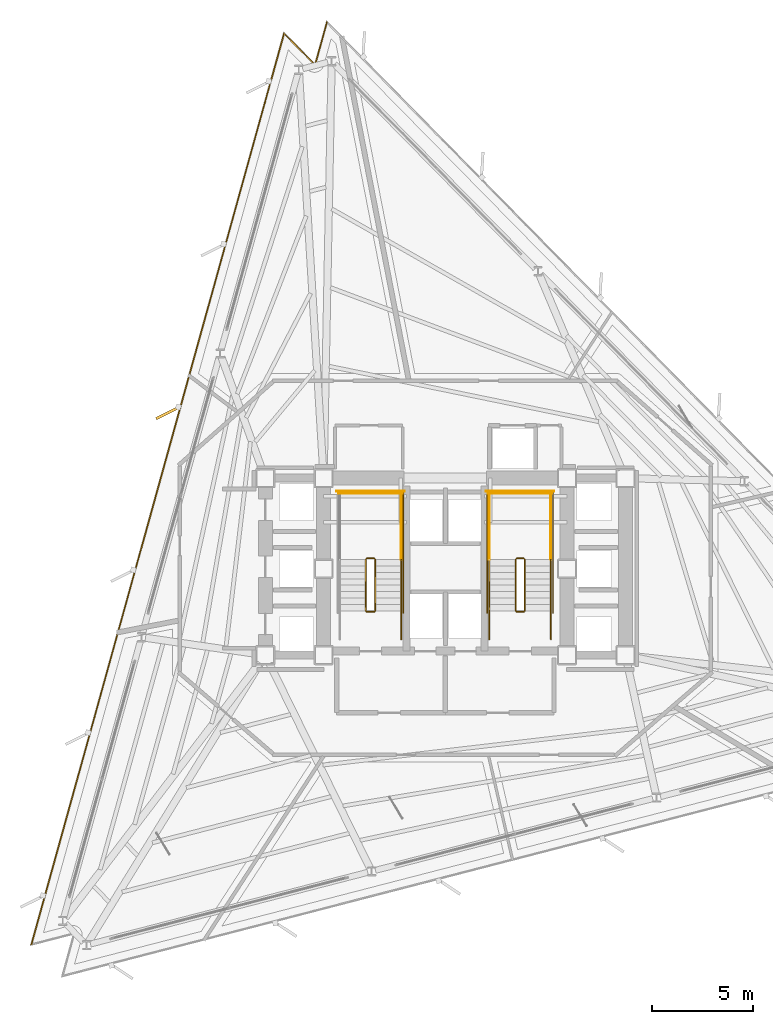
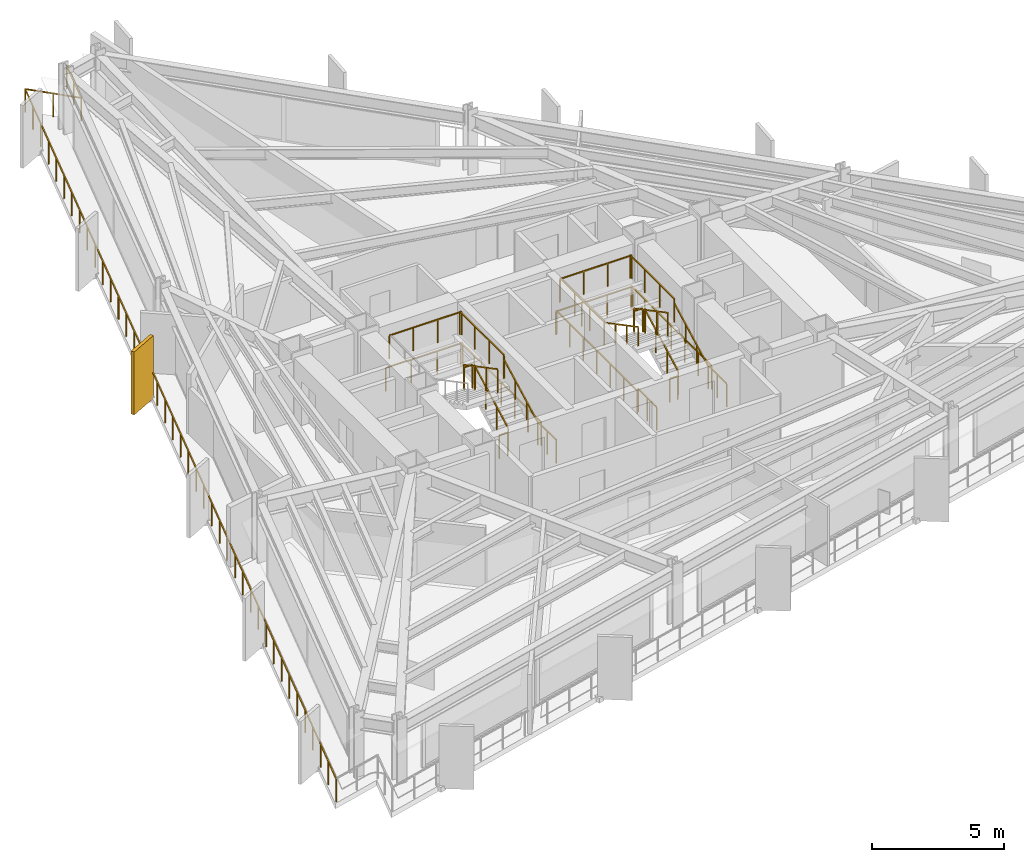
# One storey, part 10 of 11: 25 railings, 1 shading device.
"""IFC4 building model written with IfcOpenShell, lengths in metres."""

import ifcopenshell
import ifcopenshell.guid

model = None  # the IFC model being written
_history = None  # IfcOwnerHistory: only IFC2X3 demands one
_inside = {}  # id of a spatial element -> (the spatial element, [elements in it])
_under = {}  # id of a project, library or spatial element -> (it, [spatial elements below it])
_declared = {}  # id of a project -> (the project, [libraries it declares])
_typed = {}  # id of a type object -> (the type object, [elements of that type])
_made_of = {}  # id of a material, layer set ... -> (it, [elements and type objects made of it])


def new_model(schema):
    """Start an empty IFC model of exactly this schema.

    Asked for "IFC4X3", IfcOpenShell would pick the latest addendum, in which some entities
    have other attributes; the version numbers below select the first issue.
    IFC2X3 requires an IfcOwnerHistory on every rooted entity: one is made here for all.
    """
    global model, _history
    if schema == "IFC4X3":
        model = ifcopenshell.file(schema_version=(4, 3, 0, 0))
    else:
        model = ifcopenshell.file(schema=schema)
    _inside.clear()
    _under.clear()
    _declared.clear()
    _typed.clear()
    _made_of.clear()
    _history = None
    if model.schema == "IFC2X3":
        org = make("IfcOrganization", Name="unknown")
        user = make(
            "IfcPersonAndOrganization",
            ThePerson=make("IfcPerson", FamilyName="unknown"),
            TheOrganization=org,
        )
        app = make(
            "IfcApplication",
            ApplicationDeveloper=org,
            Version="unknown",
            ApplicationFullName="unknown",
            ApplicationIdentifier="unknown",
        )
        _history = make(
            "IfcOwnerHistory",
            OwningUser=user,
            OwningApplication=app,
            ChangeAction="ADDED",
            CreationDate=0,
        )
    return model


def make(cls, **values):
    """One entity of the class cls with the attributes given. An attribute that is None is left unset."""
    return model.create_entity(
        cls, **{name: value for name, value in values.items() if value is not None}
    )


def rooted(cls, **values):
    """An entity with a GlobalId (a new one), such as an element, a storey or a relation."""
    return make(cls, GlobalId=ifcopenshell.guid.new(), OwnerHistory=_history, **values)


def si_unit(unit_type, name, prefix=None):
    """IfcSIUnit, for example si_unit("LENGTHUNIT", "METRE", prefix="MILLI")."""
    return make("IfcSIUnit", UnitType=unit_type, Prefix=prefix, Name=name)


def assignment(units):
    """IfcUnitAssignment: the units of a project."""
    return None if units is None else make("IfcUnitAssignment", Units=units)


def point(xyz):
    """IfcCartesianPoint."""
    return None if xyz is None else make("IfcCartesianPoint", Coordinates=xyz)


def direction(xyz):
    """IfcDirection."""
    return None if xyz is None else make("IfcDirection", DirectionRatios=xyz)


def frame(location, z_axis=None, x_axis=None):
    """IfcAxis2Placement3D, a coordinate frame: its origin and axes. An axis left out is left unset."""
    return make(
        "IfcAxis2Placement3D",
        Location=point(location),
        Axis=direction(z_axis),
        RefDirection=direction(x_axis),
    )


def frame_2d(location, x_axis=None):
    """IfcAxis2Placement2D, a coordinate frame in the plane: its origin and x axis."""
    return make(
        "IfcAxis2Placement2D", Location=point(location), RefDirection=direction(x_axis)
    )


def origin():
    """The frame at (0, 0, 0) with its axes left unset."""
    return frame((0.0, 0.0, 0.0))


def origin_2d():
    """The frame at (0, 0) in the plane with its x axis left unset."""
    return frame_2d((0.0, 0.0))


def place(relative_to, where):
    """IfcLocalPlacement: puts the frame where relative to a parent placement (None: the world)."""
    return make(
        "IfcLocalPlacement", PlacementRelTo=relative_to, RelativePlacement=where
    )


def context(
    kind, dimensions, precision=None, world=None, true_north=None, identifier=None
):
    """IfcGeometricRepresentationContext, for example the 3D "Model" context."""
    return make(
        "IfcGeometricRepresentationContext",
        ContextIdentifier=identifier,
        ContextType=kind,
        CoordinateSpaceDimension=dimensions,
        Precision=precision,
        WorldCoordinateSystem=world,
        TrueNorth=true_north,
    )


def subcontext(parent, identifier, kind, view, scale=None):
    """IfcGeometricRepresentationSubContext, for example "Body" below "Model"."""
    return make(
        "IfcGeometricRepresentationSubContext",
        ContextIdentifier=identifier,
        ContextType=kind,
        ParentContext=parent,
        TargetScale=scale,
        TargetView=view,
    )


def project(units=None, contexts=None):
    """IfcProject with its units and contexts."""
    return rooted(
        "IfcProject",
        Name="project",
        RepresentationContexts=contexts,
        UnitsInContext=assignment(units),
    )


def spatial(cls, under=None, at=None, **own):
    """A site, building, storey or space (cls), placed at a placement, below another one or the project."""
    s = rooted(cls, ObjectPlacement=at, **own)
    if under is not None:
        _under.setdefault(under.id(), (under, []))[1].append(s)
    return s


def profile(cls, at=None, kind="AREA", **sizes):
    """A parametric profile (cls). Its sizes go by their IFC names, for example OverallWidth=200.0."""
    return make(cls, ProfileType=kind, Position=at, **sizes)


def rectangle(**sizes):
    """IfcRectangleProfileDef."""
    return profile("IfcRectangleProfileDef", **sizes)


def extrude(swept, where, along, depth):
    """IfcExtrudedAreaSolid: the profile swept, set in the frame where, extruded along a direction by depth."""
    return make(
        "IfcExtrudedAreaSolid",
        SweptArea=swept,
        Position=where,
        ExtrudedDirection=direction(along),
        Depth=depth,
    )


def shape(context_of_items, identifier, shape_type, items):
    """IfcShapeRepresentation: the items that make up one representation, for example the "Body"."""
    return make(
        "IfcShapeRepresentation",
        ContextOfItems=context_of_items,
        RepresentationIdentifier=identifier,
        RepresentationType=shape_type,
        Items=items,
    )


def material(Name=None, Category=None):
    """IfcMaterial."""
    return make("IfcMaterial", Name=Name, Category=Category)


def layer(
    of_material, thickness, ventilated=None, Name=None, Category=None, Priority=None
):
    """IfcMaterialLayer: one layer of a wall or slab, of a material (None: an air gap)."""
    return make(
        "IfcMaterialLayer",
        Material=of_material,
        LayerThickness=thickness,
        IsVentilated=ventilated,
        Name=Name,
        Category=Category,
        Priority=Priority,
    )


def layer_set(layers, Name=None):
    """IfcMaterialLayerSet."""
    return make("IfcMaterialLayerSet", MaterialLayers=layers, LayerSetName=Name)


def made_of(thing, what):
    """Note that an element or type object is made of a material, layer set ...; save() writes the relation."""
    if what is not None:
        _made_of.setdefault(what.id(), (what, []))[1].append(thing)
    return thing


def type_object(cls, material=None, **own):
    """A type object (cls), such as IfcWallType, which elements share."""
    return made_of(rooted(cls, **own), material)


def element(
    cls,
    number,
    at=None,
    inside=None,
    cuts=None,
    type_object=None,
    material=None,
    context=None,
    identifier="Body",
    shape_type=None,
    held_by="IfcProductDefinitionShape",
    body=None,
    shapes=None,
    **own,
):
    """One element of the class cls, such as IfcWall. Its Tag is "e" and its number.

    at: its placement. inside: the storey or other place that contains it. cuts: it is an
    opening in that element (IfcRelVoidsElement). A single representation is given by context,
    identifier, shape_type and body (its items); several are given by shapes. held_by: the class
    of the entity that holds the representations. save() writes the other relations.
    """
    e = rooted(cls, Tag="e%d" % number, ObjectPlacement=at, **own)
    if body is not None:
        shapes = [shape(context, identifier, shape_type, body)]
    if shapes is not None:
        e.Representation = make(held_by, Representations=shapes)
    if inside is not None:
        _inside.setdefault(inside.id(), (inside, []))[1].append(e)
    if cuts is not None:
        rooted(
            "IfcRelVoidsElement", RelatingBuildingElement=cuts, RelatedOpeningElement=e
        )
    if type_object is not None:
        _typed.setdefault(type_object.id(), (type_object, []))[1].append(e)
    return made_of(e, material)


def aggregate(whole, parts):
    """IfcRelAggregates: a whole, such as a stair, and the parts it consists of."""
    return rooted("IfcRelAggregates", RelatingObject=whole, RelatedObjects=parts)


def save(model, path):
    """Write the relations noted so far, then the file.

    IfcRelAggregates (storeys below a building ...), IfcRelContainedInSpatialStructure (elements
    in a storey), IfcRelDefinesByType, IfcRelAssociatesMaterial and IfcRelDeclares: one each for
    every whole, place, type object, material and project.
    """
    for whole, parts in _under.values():
        aggregate(whole, parts)
    for where, things in _inside.values():
        rooted(
            "IfcRelContainedInSpatialStructure",
            RelatedElements=things,
            RelatingStructure=where,
        )
    for kind, things in _typed.values():
        rooted("IfcRelDefinesByType", RelatedObjects=things, RelatingType=kind)
    for what, things in _made_of.values():
        rooted("IfcRelAssociatesMaterial", RelatedObjects=things, RelatingMaterial=what)
    for by, libraries in _declared.values():
        rooted("IfcRelDeclares", RelatingContext=by, RelatedDefinitions=libraries)
    model.write(path)


model = new_model("IFC4")

# Units and contexts
model_context = context("Model", 3, precision=1e-05, world=origin(), true_north=direction((0.0, 1.0)))
body_context = subcontext(model_context, "Body", "Model", "MODEL_VIEW")
ifc_project = project(units=[si_unit("LENGTHUNIT", "METRE"), si_unit("AREAUNIT", "SQUARE_METRE"), si_unit("VOLUMEUNIT", "CUBIC_METRE"), si_unit("PLANEANGLEUNIT", "RADIAN"), si_unit("MASSUNIT", "GRAM", prefix="KILO")], contexts=[model_context])

# Site, building, storey
site_placement = place(None, origin())
site = spatial("IfcSite", under=ifc_project, at=site_placement, CompositionType="ELEMENT")
building_placement = place(site_placement, origin())
building = spatial("IfcBuilding", under=site, at=building_placement, Name="Rocaltana Carrier Exchange", CompositionType="ELEMENT")
storey_placement = place(building_placement, frame((0.0, 0.0, 82.56005859375)))
storey = spatial("IfcBuildingStorey", under=building, at=storey_placement, Name="L25", CompositionType="ELEMENT", Elevation=82.56005859375)

# Railings
ifc_material_1 = material(Name="Brushed Architectural Stainless Tube", Category="steel")
ifc_layer_1 = layer(ifc_material_1, 0.048095703125)
ifc_layer_set_1 = layer_set([ifc_layer_1], Name="Brushed Architectural Stainless Tube")
railing_type_1 = type_object("IfcRailingType", Name="Stair Wall Handrail 920", PredefinedType="HANDRAIL", material=ifc_layer_set_1)
for number, where, name in (
    (1, (-2.18994140625, -2.10009765625, 0.1689453125), "L25 ST-1 stair handrail 1"),
    (2, (5.25, -2.10009765625, 0.1689453125), "L25 ST-2 stair handrail 1"),
):
    element("IfcRailing", number, at=place(storey_placement, frame(where)), inside=storey, type_object=railing_type_1, Name=name, PredefinedType="HANDRAIL", context=body_context, shape_type="SweptSolid", body=[
        extrude(rectangle(XDim=0.048095703125, YDim=0.048095703125, at=origin_2d()), frame((0.0, 0.0, 0.8759765625), z_axis=(0.0, 0.884394423565, 0.466740295633), x_axis=(-1.0, 0.0, 0.0)), (0.0, 0.0, 1.0), 2.894775390625),
        extrude(rectangle(XDim=0.0419921875, YDim=0.0419921875, at=origin_2d()), origin(), (0.0, 0.0, 1.0), 0.851806640625),
        extrude(rectangle(XDim=0.0419921875, YDim=0.0419921875, at=origin_2d()), frame((0.0, 0.853271484375, 0.450439453125)), (0.0, 0.0, 1.0), 0.851806640625),
        extrude(rectangle(XDim=0.0419921875, YDim=0.0419921875, at=origin_2d()), frame((0.0, 1.706787109375, 0.900634765625)), (0.0, 0.0, 1.0), 0.851806640625),
        extrude(rectangle(XDim=0.0419921875, YDim=0.0419921875, at=origin_2d()), frame((0.0, 2.56005859375, 1.35107421875)), (0.0, 0.0, 1.0), 0.851806640625),
    ])
railing_1_placement = place(storey_placement, frame((2.18994140625, 0.4599609375, 1.688720703125)))
element("IfcRailing", 3, at=railing_1_placement, inside=storey, type_object=railing_type_1, Name="L25 ST-2 stair handrail 2", PredefinedType="HANDRAIL", context=body_context, shape_type="SweptSolid", body=[
    extrude(rectangle(XDim=0.048095703125, YDim=0.048095703125, at=origin_2d()), frame((0.0, 0.0, 0.8759765625), z_axis=(0.0, -0.884359608194, 0.46680625895), x_axis=(1.0, 0.0, 0.0)), (0.0, 0.0, 1.0), 2.894775390625),
    extrude(rectangle(XDim=0.0419921875, YDim=0.0419921875, at=origin_2d()), origin(), (0.0, 0.0, 1.0), 0.851806640625),
    extrude(rectangle(XDim=0.0419921875, YDim=0.0419921875, at=origin_2d()), frame((0.0, -0.853271484375, 0.450439453125)), (0.0, 0.0, 1.0), 0.851806640625),
    extrude(rectangle(XDim=0.0419921875, YDim=0.0419921875, at=origin_2d()), frame((0.0, -1.706787109375, 0.90087890625)), (0.0, 0.0, 1.0), 0.851806640625),
    extrude(rectangle(XDim=0.0419921875, YDim=0.0419921875, at=origin_2d()), frame((0.0, -2.56005859375, 1.351318359375)), (0.0, 0.0, 1.0), 0.851806640625),
])
ifc_material_2 = material(Name="Powder-Coated Aluminium 6063-T6", Category="aluminium")
ifc_layer_2 = layer(ifc_material_2, 0.048095703125)
ifc_layer_set_2 = layer_set([ifc_layer_2], Name="Powder-Coated Aluminium 6063-T6")
railing_type_2 = type_object("IfcRailingType", Name="Stair Well Guardrail 1100", PredefinedType="GUARDRAIL", material=ifc_layer_set_2)
railing_2_placement = place(storey_placement, frame((-3.489990234375, -2.10009765625, 0.1689453125)))
element("IfcRailing", 4, at=railing_2_placement, inside=storey, type_object=railing_type_2, Name="L25 ST-1 stair guard 1", PredefinedType="GUARDRAIL", context=body_context, shape_type="SweptSolid", body=[
    extrude(rectangle(XDim=0.048095703125, YDim=0.048095703125, at=origin_2d()), frame((0.0, 0.0, 1.076171875), z_axis=(0.0, 0.884394423565, 0.466740295633), x_axis=(-1.0, 0.0, 0.0)), (0.0, 0.0, 1.0), 2.894775390625),
    extrude(rectangle(XDim=0.0419921875, YDim=0.0419921875, at=origin_2d()), origin(), (0.0, 0.0, 1.0), 1.052001953125),
    extrude(rectangle(XDim=0.0419921875, YDim=0.0419921875, at=origin_2d()), frame((0.0, 0.853271484375, 0.450439453125)), (0.0, 0.0, 1.0), 1.052001953125),
    extrude(rectangle(XDim=0.0419921875, YDim=0.0419921875, at=origin_2d()), frame((0.0, 1.706787109375, 0.900634765625)), (0.0, 0.0, 1.0), 1.052001953125),
    extrude(rectangle(XDim=0.0419921875, YDim=0.0419921875, at=origin_2d()), frame((0.0, 2.56005859375, 1.35107421875)), (0.0, 0.0, 1.0), 1.052001953125),
])
railing_3_placement = place(storey_placement, frame((-3.5400390625, 0.510009765625, 1.52001953125)))
element("IfcRailing", 5, at=railing_3_placement, inside=storey, type_object=railing_type_2, Name="L25 ST-1 stair guard 2", PredefinedType="GUARDRAIL", context=body_context, shape_type="SweptSolid", body=[
    extrude(rectangle(XDim=0.048095703125, YDim=0.048095703125, at=origin_2d()), frame((0.0, 0.0, 1.076171875), z_axis=(-1.0, 0.0, 0.0), x_axis=(0.0, -1.0, 0.0)), (0.0, 0.0, 1.0), 0.35986328125),
    extrude(rectangle(XDim=0.0419921875, YDim=0.0419921875, at=origin_2d()), origin(), (0.0, 0.0, 1.0), 1.052001953125),
    extrude(rectangle(XDim=0.0419921875, YDim=0.0419921875, at=origin_2d()), frame((-0.35986328125, 0.0, 0.0)), (0.0, 0.0, 1.0), 1.052001953125),
])
railing_4_placement = place(storey_placement, frame((-2.18994140625, 0.4599609375, 1.52001953125)))
element("IfcRailing", 6, at=railing_4_placement, inside=storey, type_object=railing_type_2, Name="L25 ST-1 stair guard 3", PredefinedType="GUARDRAIL", context=body_context, shape_type="SweptSolid", body=[
    extrude(rectangle(XDim=0.048095703125, YDim=0.048095703125, at=origin_2d()), frame((0.0, 0.0, 1.076171875), z_axis=(0.0, 1.0, 0.0), x_axis=(-1.0, 0.0, 0.0)), (0.0, 0.0, 1.0), 3.340087890625),
    extrude(rectangle(XDim=0.0419921875, YDim=0.0419921875, at=origin_2d()), origin(), (0.0, 0.0, 1.0), 1.052001953125),
    extrude(rectangle(XDim=0.0419921875, YDim=0.0419921875, at=origin_2d()), frame((0.0, 1.11328125, 0.0)), (0.0, 0.0, 1.0), 1.052001953125),
    extrude(rectangle(XDim=0.0419921875, YDim=0.0419921875, at=origin_2d()), frame((0.0, 2.226806640625, 0.0)), (0.0, 0.0, 1.0), 1.052001953125),
    extrude(rectangle(XDim=0.0419921875, YDim=0.0419921875, at=origin_2d()), frame((0.0, 3.340087890625, 0.0)), (0.0, 0.0, 1.0), 1.052001953125),
])
railing_5_placement = place(storey_placement, frame((-2.139892578125, 3.75, 1.52001953125)))
element("IfcRailing", 7, at=railing_5_placement, inside=storey, type_object=railing_type_2, Name="L25 ST-1 stair guard 5", PredefinedType="GUARDRAIL", context=body_context, shape_type="SweptSolid", body=[
    extrude(rectangle(XDim=0.048095703125, YDim=0.048095703125, at=origin_2d()), frame((0.0, 0.0, 1.076171875), z_axis=(-1.0, 0.0, 0.0), x_axis=(0.0, -1.0, 0.0)), (0.0, 0.0, 1.0), 3.16015625),
    extrude(rectangle(XDim=0.0419921875, YDim=0.0419921875, at=origin_2d()), origin(), (0.0, 0.0, 1.0), 1.052001953125),
    extrude(rectangle(XDim=0.0419921875, YDim=0.0419921875, at=origin_2d()), frame((-1.053466796875, 0.0, 0.0)), (0.0, 0.0, 1.0), 1.052001953125),
    extrude(rectangle(XDim=0.0419921875, YDim=0.0419921875, at=origin_2d()), frame((-2.106689453125, 0.0, 0.0)), (0.0, 0.0, 1.0), 1.052001953125),
    extrude(rectangle(XDim=0.0419921875, YDim=0.0419921875, at=origin_2d()), frame((-3.16015625, 0.0, 0.0)), (0.0, 0.0, 1.0), 1.052001953125),
])
railing_6_placement = place(storey_placement, frame((-3.949951171875, 0.4599609375, 1.688720703125)))
element("IfcRailing", 8, at=railing_6_placement, inside=storey, type_object=railing_type_2, Name="L25 ST-1 stair guard 6", PredefinedType="GUARDRAIL", context=body_context, shape_type="SweptSolid", body=[
    extrude(rectangle(XDim=0.048095703125, YDim=0.048095703125, at=origin_2d()), frame((0.0, 0.0, 1.076171875), z_axis=(0.0, -0.884359608194, 0.46680625895), x_axis=(1.0, 0.0, 0.0)), (0.0, 0.0, 1.0), 2.894775390625),
    extrude(rectangle(XDim=0.0419921875, YDim=0.0419921875, at=origin_2d()), origin(), (0.0, 0.0, 1.0), 1.052001953125),
    extrude(rectangle(XDim=0.0419921875, YDim=0.0419921875, at=origin_2d()), frame((0.0, -0.853271484375, 0.450439453125)), (0.0, 0.0, 1.0), 1.052001953125),
    extrude(rectangle(XDim=0.0419921875, YDim=0.0419921875, at=origin_2d()), frame((0.0, -1.706787109375, 0.90087890625)), (0.0, 0.0, 1.0), 1.052001953125),
    extrude(rectangle(XDim=0.0419921875, YDim=0.0419921875, at=origin_2d()), frame((0.0, -2.56005859375, 1.351318359375)), (0.0, 0.0, 1.0), 1.052001953125),
])
railing_7_placement = place(storey_placement, frame((-3.5400390625, -2.14990234375, 0.0)))
element("IfcRailing", 9, at=railing_7_placement, inside=storey, type_object=railing_type_2, Name="L25 ST-1 stair guard 7", PredefinedType="GUARDRAIL", context=body_context, shape_type="SweptSolid", body=[
    extrude(rectangle(XDim=0.048095703125, YDim=0.048095703125, at=origin_2d()), frame((0.0, 0.0, 1.076171875), z_axis=(-1.0, 0.0, 0.0), x_axis=(0.0, -1.0, 0.0)), (0.0, 0.0, 1.0), 0.35986328125),
    extrude(rectangle(XDim=0.0419921875, YDim=0.0419921875, at=origin_2d()), origin(), (0.0, 0.0, 1.0), 1.052001953125),
    extrude(rectangle(XDim=0.0419921875, YDim=0.0419921875, at=origin_2d()), frame((-0.35986328125, 0.0, 0.0)), (0.0, 0.0, 1.0), 1.052001953125),
])
railing_8_placement = place(storey_placement, frame((-2.18994140625, -3.5, 0.0)))
element("IfcRailing", 10, at=railing_8_placement, inside=storey, type_object=railing_type_2, Name="L25 ST-1 stair guard 8", PredefinedType="GUARDRAIL", context=body_context, shape_type="SweptSolid", body=[
    extrude(rectangle(XDim=0.048095703125, YDim=0.048095703125, at=origin_2d()), frame((0.0, 0.0, 1.076171875), z_axis=(0.0, 1.0, 0.0), x_axis=(-1.0, 0.0, 0.0)), (0.0, 0.0, 1.0), 1.39990234375),
    extrude(rectangle(XDim=0.0419921875, YDim=0.0419921875, at=origin_2d()), origin(), (0.0, 0.0, 1.0), 1.052001953125),
    extrude(rectangle(XDim=0.0419921875, YDim=0.0419921875, at=origin_2d()), frame((0.0, 0.699951171875, 0.0)), (0.0, 0.0, 1.0), 1.052001953125),
    extrude(rectangle(XDim=0.0419921875, YDim=0.0419921875, at=origin_2d()), frame((0.0, 1.39990234375, 0.0)), (0.0, 0.0, 1.0), 1.052001953125),
])
railing_9_placement = place(storey_placement, frame((-2.090087890625, -2.199951171875, 0.0)))
element("IfcRailing", 11, at=railing_9_placement, inside=storey, type_object=railing_type_2, Name="L25 ST-1 stair guard 10", PredefinedType="GUARDRAIL", context=body_context, shape_type="SweptSolid", body=[
    extrude(rectangle(XDim=0.048095703125, YDim=0.048095703125, at=origin_2d()), frame((0.0, 0.0, 1.076171875), z_axis=(0.0, 1.0, 0.0), x_axis=(-1.0, 0.0, 0.0)), (0.0, 0.0, 1.0), 6.099853515625),
    extrude(rectangle(XDim=0.0419921875, YDim=0.0419921875, at=origin_2d()), origin(), (0.0, 0.0, 1.0), 1.052001953125),
    extrude(rectangle(XDim=0.0419921875, YDim=0.0419921875, at=origin_2d()), frame((0.0, 1.0166015625, 0.0)), (0.0, 0.0, 1.0), 1.052001953125),
    extrude(rectangle(XDim=0.0419921875, YDim=0.0419921875, at=origin_2d()), frame((0.0, 2.033203125, 0.0)), (0.0, 0.0, 1.0), 1.052001953125),
    extrude(rectangle(XDim=0.0419921875, YDim=0.0419921875, at=origin_2d()), frame((0.0, 3.0498046875, 0.0)), (0.0, 0.0, 1.0), 1.052001953125),
    extrude(rectangle(XDim=0.0419921875, YDim=0.0419921875, at=origin_2d()), frame((0.0, 4.066650390625, 0.0)), (0.0, 0.0, 1.0), 1.052001953125),
    extrude(rectangle(XDim=0.0419921875, YDim=0.0419921875, at=origin_2d()), frame((0.0, 5.083251953125, 0.0)), (0.0, 0.0, 1.0), 1.052001953125),
    extrude(rectangle(XDim=0.0419921875, YDim=0.0419921875, at=origin_2d()), frame((0.0, 6.099853515625, 0.0)), (0.0, 0.0, 1.0), 1.052001953125),
])
railing_10_placement = place(storey_placement, frame((-2.0400390625, 3.85009765625, 0.0)))
element("IfcRailing", 12, at=railing_10_placement, inside=storey, type_object=railing_type_2, Name="L25 ST-1 stair guard 12", PredefinedType="GUARDRAIL", context=body_context, shape_type="SweptSolid", body=[
    extrude(rectangle(XDim=0.048095703125, YDim=0.048095703125, at=origin_2d()), frame((0.0, 0.0, 1.076171875), z_axis=(-1.0, 0.0, 0.0), x_axis=(0.0, -1.0, 0.0)), (0.0, 0.0, 1.0), 3.35986328125),
    extrude(rectangle(XDim=0.0419921875, YDim=0.0419921875, at=origin_2d()), origin(), (0.0, 0.0, 1.0), 1.052001953125),
    extrude(rectangle(XDim=0.0419921875, YDim=0.0419921875, at=origin_2d()), frame((-1.119873046875, 0.0, 0.0)), (0.0, 0.0, 1.0), 1.052001953125),
    extrude(rectangle(XDim=0.0419921875, YDim=0.0419921875, at=origin_2d()), frame((-2.239990234375, 0.0, 0.0)), (0.0, 0.0, 1.0), 1.052001953125),
    extrude(rectangle(XDim=0.0419921875, YDim=0.0419921875, at=origin_2d()), frame((-3.35986328125, 0.0, 0.0)), (0.0, 0.0, 1.0), 1.052001953125),
])
railing_11_placement = place(storey_placement, frame((3.949951171875, -2.10009765625, 0.1689453125)))
element("IfcRailing", 13, at=railing_11_placement, inside=storey, type_object=railing_type_2, Name="L25 ST-2 stair guard 1", PredefinedType="GUARDRAIL", context=body_context, shape_type="SweptSolid", body=[
    extrude(rectangle(XDim=0.048095703125, YDim=0.048095703125, at=origin_2d()), frame((0.0, 0.0, 1.076171875), z_axis=(0.0, 0.884394423565, 0.466740295633), x_axis=(-1.0, 0.0, 0.0)), (0.0, 0.0, 1.0), 2.894775390625),
    extrude(rectangle(XDim=0.0419921875, YDim=0.0419921875, at=origin_2d()), origin(), (0.0, 0.0, 1.0), 1.052001953125),
    extrude(rectangle(XDim=0.0419921875, YDim=0.0419921875, at=origin_2d()), frame((0.0, 0.853271484375, 0.450439453125)), (0.0, 0.0, 1.0), 1.052001953125),
    extrude(rectangle(XDim=0.0419921875, YDim=0.0419921875, at=origin_2d()), frame((0.0, 1.706787109375, 0.900634765625)), (0.0, 0.0, 1.0), 1.052001953125),
    extrude(rectangle(XDim=0.0419921875, YDim=0.0419921875, at=origin_2d()), frame((0.0, 2.56005859375, 1.35107421875)), (0.0, 0.0, 1.0), 1.052001953125),
])
railing_12_placement = place(storey_placement, frame((3.89990234375, 0.510009765625, 1.52001953125)))
element("IfcRailing", 14, at=railing_12_placement, inside=storey, type_object=railing_type_2, Name="L25 ST-2 stair guard 2", PredefinedType="GUARDRAIL", context=body_context, shape_type="SweptSolid", body=[
    extrude(rectangle(XDim=0.048095703125, YDim=0.048095703125, at=origin_2d()), frame((0.0, 0.0, 1.076171875), z_axis=(-1.0, 0.0, 0.0), x_axis=(0.0, -1.0, 0.0)), (0.0, 0.0, 1.0), 0.35986328125),
    extrude(rectangle(XDim=0.0419921875, YDim=0.0419921875, at=origin_2d()), origin(), (0.0, 0.0, 1.0), 1.052001953125),
    extrude(rectangle(XDim=0.0419921875, YDim=0.0419921875, at=origin_2d()), frame((-0.35986328125, 0.0, 0.0)), (0.0, 0.0, 1.0), 1.052001953125),
])
for number, where, name in (
    (15, (5.25, 0.4599609375, 1.52001953125), "L25 ST-2 stair guard 3"),
    (16, (2.18994140625, 0.4599609375, 1.52001953125), "L25 ST-2 stair guard 4"),
):
    element("IfcRailing", number, at=place(storey_placement, frame(where)), inside=storey, type_object=railing_type_2, Name=name, PredefinedType="GUARDRAIL", context=body_context, shape_type="SweptSolid", body=[
        extrude(rectangle(XDim=0.048095703125, YDim=0.048095703125, at=origin_2d()), frame((0.0, 0.0, 1.076171875), z_axis=(0.0, 1.0, 0.0), x_axis=(-1.0, 0.0, 0.0)), (0.0, 0.0, 1.0), 3.340087890625),
        extrude(rectangle(XDim=0.0419921875, YDim=0.0419921875, at=origin_2d()), origin(), (0.0, 0.0, 1.0), 1.052001953125),
        extrude(rectangle(XDim=0.0419921875, YDim=0.0419921875, at=origin_2d()), frame((0.0, 1.11328125, 0.0)), (0.0, 0.0, 1.0), 1.052001953125),
        extrude(rectangle(XDim=0.0419921875, YDim=0.0419921875, at=origin_2d()), frame((0.0, 2.226806640625, 0.0)), (0.0, 0.0, 1.0), 1.052001953125),
        extrude(rectangle(XDim=0.0419921875, YDim=0.0419921875, at=origin_2d()), frame((0.0, 3.340087890625, 0.0)), (0.0, 0.0, 1.0), 1.052001953125),
    ])
railing_13_placement = place(storey_placement, frame((5.300048828125, 3.75, 1.52001953125)))
element("IfcRailing", 17, at=railing_13_placement, inside=storey, type_object=railing_type_2, Name="L25 ST-2 stair guard 5", PredefinedType="GUARDRAIL", context=body_context, shape_type="SweptSolid", body=[
    extrude(rectangle(XDim=0.048095703125, YDim=0.048095703125, at=origin_2d()), frame((0.0, 0.0, 1.076171875), z_axis=(-1.0, 0.0, 0.0), x_axis=(0.0, -1.0, 0.0)), (0.0, 0.0, 1.0), 3.16015625),
    extrude(rectangle(XDim=0.0419921875, YDim=0.0419921875, at=origin_2d()), origin(), (0.0, 0.0, 1.0), 1.052001953125),
    extrude(rectangle(XDim=0.0419921875, YDim=0.0419921875, at=origin_2d()), frame((-1.053466796875, 0.0, 0.0)), (0.0, 0.0, 1.0), 1.052001953125),
    extrude(rectangle(XDim=0.0419921875, YDim=0.0419921875, at=origin_2d()), frame((-2.106689453125, 0.0, 0.0)), (0.0, 0.0, 1.0), 1.052001953125),
    extrude(rectangle(XDim=0.0419921875, YDim=0.0419921875, at=origin_2d()), frame((-3.16015625, 0.0, 0.0)), (0.0, 0.0, 1.0), 1.052001953125),
])
railing_14_placement = place(storey_placement, frame((3.489990234375, 0.4599609375, 1.688720703125)))
element("IfcRailing", 18, at=railing_14_placement, inside=storey, type_object=railing_type_2, Name="L25 ST-2 stair guard 6", PredefinedType="GUARDRAIL", context=body_context, shape_type="SweptSolid", body=[
    extrude(rectangle(XDim=0.048095703125, YDim=0.048095703125, at=origin_2d()), frame((0.0, 0.0, 1.076171875), z_axis=(0.0, -0.884359608194, 0.46680625895), x_axis=(1.0, 0.0, 0.0)), (0.0, 0.0, 1.0), 2.894775390625),
    extrude(rectangle(XDim=0.0419921875, YDim=0.0419921875, at=origin_2d()), origin(), (0.0, 0.0, 1.0), 1.052001953125),
    extrude(rectangle(XDim=0.0419921875, YDim=0.0419921875, at=origin_2d()), frame((0.0, -0.853271484375, 0.450439453125)), (0.0, 0.0, 1.0), 1.052001953125),
    extrude(rectangle(XDim=0.0419921875, YDim=0.0419921875, at=origin_2d()), frame((0.0, -1.706787109375, 0.90087890625)), (0.0, 0.0, 1.0), 1.052001953125),
    extrude(rectangle(XDim=0.0419921875, YDim=0.0419921875, at=origin_2d()), frame((0.0, -2.56005859375, 1.351318359375)), (0.0, 0.0, 1.0), 1.052001953125),
])
railing_15_placement = place(storey_placement, frame((3.89990234375, -2.14990234375, 0.0)))
element("IfcRailing", 19, at=railing_15_placement, inside=storey, type_object=railing_type_2, Name="L25 ST-2 stair guard 7", PredefinedType="GUARDRAIL", context=body_context, shape_type="SweptSolid", body=[
    extrude(rectangle(XDim=0.048095703125, YDim=0.048095703125, at=origin_2d()), frame((0.0, 0.0, 1.076171875), z_axis=(-1.0, 0.0, 0.0), x_axis=(0.0, -1.0, 0.0)), (0.0, 0.0, 1.0), 0.35986328125),
    extrude(rectangle(XDim=0.0419921875, YDim=0.0419921875, at=origin_2d()), origin(), (0.0, 0.0, 1.0), 1.052001953125),
    extrude(rectangle(XDim=0.0419921875, YDim=0.0419921875, at=origin_2d()), frame((-0.35986328125, 0.0, 0.0)), (0.0, 0.0, 1.0), 1.052001953125),
])
for number, where, name in (
    (20, (5.25, -3.5, 0.0), "L25 ST-2 stair guard 8"),
    (21, (2.18994140625, -3.5, 0.0), "L25 ST-2 stair guard 9"),
):
    element("IfcRailing", number, at=place(storey_placement, frame(where)), inside=storey, type_object=railing_type_2, Name=name, PredefinedType="GUARDRAIL", context=body_context, shape_type="SweptSolid", body=[
        extrude(rectangle(XDim=0.048095703125, YDim=0.048095703125, at=origin_2d()), frame((0.0, 0.0, 1.076171875), z_axis=(0.0, 1.0, 0.0), x_axis=(-1.0, 0.0, 0.0)), (0.0, 0.0, 1.0), 1.39990234375),
        extrude(rectangle(XDim=0.0419921875, YDim=0.0419921875, at=origin_2d()), origin(), (0.0, 0.0, 1.0), 1.052001953125),
        extrude(rectangle(XDim=0.0419921875, YDim=0.0419921875, at=origin_2d()), frame((0.0, 0.699951171875, 0.0)), (0.0, 0.0, 1.0), 1.052001953125),
        extrude(rectangle(XDim=0.0419921875, YDim=0.0419921875, at=origin_2d()), frame((0.0, 1.39990234375, 0.0)), (0.0, 0.0, 1.0), 1.052001953125),
    ])
for number, where, name in (
    (22, (5.35009765625, -2.199951171875, 0.0), "L25 ST-2 stair guard 10"),
    (23, (2.090087890625, -2.199951171875, 0.0), "L25 ST-2 stair guard 11"),
):
    element("IfcRailing", number, at=place(storey_placement, frame(where)), inside=storey, type_object=railing_type_2, Name=name, PredefinedType="GUARDRAIL", context=body_context, shape_type="SweptSolid", body=[
        extrude(rectangle(XDim=0.048095703125, YDim=0.048095703125, at=origin_2d()), frame((0.0, 0.0, 1.076171875), z_axis=(0.0, 1.0, 0.0), x_axis=(-1.0, 0.0, 0.0)), (0.0, 0.0, 1.0), 6.099853515625),
        extrude(rectangle(XDim=0.0419921875, YDim=0.0419921875, at=origin_2d()), origin(), (0.0, 0.0, 1.0), 1.052001953125),
        extrude(rectangle(XDim=0.0419921875, YDim=0.0419921875, at=origin_2d()), frame((0.0, 1.0166015625, 0.0)), (0.0, 0.0, 1.0), 1.052001953125),
        extrude(rectangle(XDim=0.0419921875, YDim=0.0419921875, at=origin_2d()), frame((0.0, 2.033203125, 0.0)), (0.0, 0.0, 1.0), 1.052001953125),
        extrude(rectangle(XDim=0.0419921875, YDim=0.0419921875, at=origin_2d()), frame((0.0, 3.0498046875, 0.0)), (0.0, 0.0, 1.0), 1.052001953125),
        extrude(rectangle(XDim=0.0419921875, YDim=0.0419921875, at=origin_2d()), frame((0.0, 4.066650390625, 0.0)), (0.0, 0.0, 1.0), 1.052001953125),
        extrude(rectangle(XDim=0.0419921875, YDim=0.0419921875, at=origin_2d()), frame((0.0, 5.083251953125, 0.0)), (0.0, 0.0, 1.0), 1.052001953125),
        extrude(rectangle(XDim=0.0419921875, YDim=0.0419921875, at=origin_2d()), frame((0.0, 6.099853515625, 0.0)), (0.0, 0.0, 1.0), 1.052001953125),
    ])
railing_16_placement = place(storey_placement, frame((5.39990234375, 3.85009765625, 0.0)))
element("IfcRailing", 24, at=railing_16_placement, inside=storey, type_object=railing_type_2, Name="L25 ST-2 stair guard 12", PredefinedType="GUARDRAIL", context=body_context, shape_type="SweptSolid", body=[
    extrude(rectangle(XDim=0.048095703125, YDim=0.048095703125, at=origin_2d()), frame((0.0, 0.0, 1.076171875), z_axis=(-1.0, 0.0, 0.0), x_axis=(0.0, -1.0, 0.0)), (0.0, 0.0, 1.0), 3.35986328125),
    extrude(rectangle(XDim=0.0419921875, YDim=0.0419921875, at=origin_2d()), origin(), (0.0, 0.0, 1.0), 1.052001953125),
    extrude(rectangle(XDim=0.0419921875, YDim=0.0419921875, at=origin_2d()), frame((-1.119873046875, 0.0, 0.0)), (0.0, 0.0, 1.0), 1.052001953125),
    extrude(rectangle(XDim=0.0419921875, YDim=0.0419921875, at=origin_2d()), frame((-2.239990234375, 0.0, 0.0)), (0.0, 0.0, 1.0), 1.052001953125),
    extrude(rectangle(XDim=0.0419921875, YDim=0.0419921875, at=origin_2d()), frame((-3.35986328125, 0.0, 0.0)), (0.0, 0.0, 1.0), 1.052001953125),
])

# Shading device
ifc_material_3 = material(Name="Honed Bogota Sandstone & Concrete C45/55", Category="masonry")
ifc_layer_3 = layer(ifc_material_3, 0.139892578125)
ifc_layer_set_3 = layer_set([ifc_layer_3], Name="Honed Bogota Sandstone & Concrete C45/55")
shading_device_type = type_object("IfcShadingDeviceType", Name="Vertical Sandstone Shading Fin 1320x140", PredefinedType="USERDEFINED", material=ifc_layer_set_3)
shading_device_placement = place(storey_placement, frame((-13.786376953125, 7.751220703125, -0.1201171875), z_axis=(0.0, 0.0, 1.0), x_axis=(-0.894934361602, -0.44619781311, 0.0)))
element("IfcShadingDevice", 25, at=shading_device_placement, inside=storey, type_object=shading_device_type, Name="L25 Sandstone Vertical Fin F2-03", ObjectType="FIN", PredefinedType="USERDEFINED", context=body_context, shape_type="SweptSolid", body=[
    extrude(rectangle(XDim=1.320068359375, YDim=0.139892578125, at=origin_2d()), origin(), (0.0, 0.0, 1.0), 2.907958984375),
])

# Railing
ifc_material_4 = material(Name="Powder-Coated Aluminium 6063-T6", Category="aluminium")
ifc_layer_4 = layer(ifc_material_4, 0.06005859375)
ifc_layer_set_4 = layer_set([ifc_layer_4], Name="Powder-Coated Aluminium 6063-T6")
railing_type_3 = type_object("IfcRailingType", Name="Wind-Floor & Terrace Perimeter Guardrail 1100", PredefinedType="GUARDRAIL", material=ifc_layer_set_4)
railing_17_placement = place(storey_placement, frame((-20.5751953125, -18.677001953125, 0.0)))
element("IfcRailing", 26, at=railing_17_placement, inside=storey, type_object=railing_type_3, Name="L25 Perimeter Balcony Guardrail 2", PredefinedType="GUARDRAIL", context=body_context, shape_type="SweptSolid", body=[
    extrude(rectangle(XDim=0.048095703125, YDim=0.048095703125, at=origin_2d()), frame((0.0, 0.0, 1.076171875), z_axis=(0.267237621402, 0.963630662499, 0.0), x_axis=(-0.963630662499, 0.267237621402, 0.0)), (0.0, 0.0, 1.0), 46.9921875),
    extrude(rectangle(XDim=0.048095703125, YDim=0.048095703125, at=origin_2d()), frame((12.55810546875, 45.283203125, 1.076171875), z_axis=(0.700920820206, -0.713239093012, 0.0), x_axis=(0.713239093012, 0.700920820206, 0.0)), (0.0, 0.0, 1.0), 2.199951171875),
    extrude(rectangle(XDim=0.048095703125, YDim=0.048095703125, at=origin_2d()), frame((14.10009765625, 43.714111328125, 1.076171875), z_axis=(0.267237446942, 0.96363071088, 0.0), x_axis=(-0.96363071088, 0.267237446942, 0.0)), (0.0, 0.0, 1.0), 2.199951171875),
    extrude(rectangle(XDim=0.0419921875, YDim=0.0419921875, at=origin_2d()), origin(), (0.0, 0.0, 1.0), 1.052001953125),
    extrude(rectangle(XDim=0.0419921875, YDim=0.0419921875, at=origin_2d()), frame((0.31396484375, 1.132080078125, 0.0)), (0.0, 0.0, 1.0), 1.052001953125),
    extrude(rectangle(XDim=0.0419921875, YDim=0.0419921875, at=origin_2d()), frame((0.6279296875, 2.26416015625, 0.0)), (0.0, 0.0, 1.0), 1.052001953125),
    extrude(rectangle(XDim=0.0419921875, YDim=0.0419921875, at=origin_2d()), frame((0.94189453125, 3.396240234375, 0.0)), (0.0, 0.0, 1.0), 1.052001953125),
    extrude(rectangle(XDim=0.0419921875, YDim=0.0419921875, at=origin_2d()), frame((1.255859375, 4.5283203125, 0.0)), (0.0, 0.0, 1.0), 1.052001953125),
    extrude(rectangle(XDim=0.0419921875, YDim=0.0419921875, at=origin_2d()), frame((1.56982421875, 5.660400390625, 0.0)), (0.0, 0.0, 1.0), 1.052001953125),
    extrude(rectangle(XDim=0.0419921875, YDim=0.0419921875, at=origin_2d()), frame((1.8837890625, 6.79248046875, 0.0)), (0.0, 0.0, 1.0), 1.052001953125),
    extrude(rectangle(XDim=0.0419921875, YDim=0.0419921875, at=origin_2d()), frame((2.19775390625, 7.924560546875, 0.0)), (0.0, 0.0, 1.0), 1.052001953125),
    extrude(rectangle(XDim=0.0419921875, YDim=0.0419921875, at=origin_2d()), frame((2.51171875, 9.056640625, 0.0)), (0.0, 0.0, 1.0), 1.052001953125),
    extrude(rectangle(XDim=0.0419921875, YDim=0.0419921875, at=origin_2d()), frame((2.82568359375, 10.188720703125, 0.0)), (0.0, 0.0, 1.0), 1.052001953125),
    extrude(rectangle(XDim=0.0419921875, YDim=0.0419921875, at=origin_2d()), frame((3.1396484375, 11.32080078125, 0.0)), (0.0, 0.0, 1.0), 1.052001953125),
    extrude(rectangle(XDim=0.0419921875, YDim=0.0419921875, at=origin_2d()), frame((3.453369140625, 12.452880859375, 0.0)), (0.0, 0.0, 1.0), 1.052001953125),
    extrude(rectangle(XDim=0.0419921875, YDim=0.0419921875, at=origin_2d()), frame((3.767333984375, 13.5849609375, 0.0)), (0.0, 0.0, 1.0), 1.052001953125),
    extrude(rectangle(XDim=0.0419921875, YDim=0.0419921875, at=origin_2d()), frame((4.081298828125, 14.717041015625, 0.0)), (0.0, 0.0, 1.0), 1.052001953125),
    extrude(rectangle(XDim=0.0419921875, YDim=0.0419921875, at=origin_2d()), frame((4.395263671875, 15.84912109375, 0.0)), (0.0, 0.0, 1.0), 1.052001953125),
    extrude(rectangle(XDim=0.0419921875, YDim=0.0419921875, at=origin_2d()), frame((4.709228515625, 16.981201171875, 0.0)), (0.0, 0.0, 1.0), 1.052001953125),
    extrude(rectangle(XDim=0.0419921875, YDim=0.0419921875, at=origin_2d()), frame((5.023193359375, 18.11328125, 0.0)), (0.0, 0.0, 1.0), 1.052001953125),
    extrude(rectangle(XDim=0.0419921875, YDim=0.0419921875, at=origin_2d()), frame((5.337158203125, 19.245361328125, 0.0)), (0.0, 0.0, 1.0), 1.052001953125),
    extrude(rectangle(XDim=0.0419921875, YDim=0.0419921875, at=origin_2d()), frame((5.651123046875, 20.37744140625, 0.0)), (0.0, 0.0, 1.0), 1.052001953125),
    extrude(rectangle(XDim=0.0419921875, YDim=0.0419921875, at=origin_2d()), frame((5.965087890625, 21.509521484375, 0.0)), (0.0, 0.0, 1.0), 1.052001953125),
    extrude(rectangle(XDim=0.0419921875, YDim=0.0419921875, at=origin_2d()), frame((6.279052734375, 22.6416015625, 0.0)), (0.0, 0.0, 1.0), 1.052001953125),
    extrude(rectangle(XDim=0.0419921875, YDim=0.0419921875, at=origin_2d()), frame((6.593017578125, 23.773681640625, 0.0)), (0.0, 0.0, 1.0), 1.052001953125),
    extrude(rectangle(XDim=0.0419921875, YDim=0.0419921875, at=origin_2d()), frame((6.906982421875, 24.90576171875, 0.0)), (0.0, 0.0, 1.0), 1.052001953125),
    extrude(rectangle(XDim=0.0419921875, YDim=0.0419921875, at=origin_2d()), frame((7.220947265625, 26.037841796875, 0.0)), (0.0, 0.0, 1.0), 1.052001953125),
    extrude(rectangle(XDim=0.0419921875, YDim=0.0419921875, at=origin_2d()), frame((7.534912109375, 27.169921875, 0.0)), (0.0, 0.0, 1.0), 1.052001953125),
    extrude(rectangle(XDim=0.0419921875, YDim=0.0419921875, at=origin_2d()), frame((7.848876953125, 28.302001953125, 0.0)), (0.0, 0.0, 1.0), 1.052001953125),
    extrude(rectangle(XDim=0.0419921875, YDim=0.0419921875, at=origin_2d()), frame((8.162841796875, 29.43408203125, 0.0)), (0.0, 0.0, 1.0), 1.052001953125),
    extrude(rectangle(XDim=0.0419921875, YDim=0.0419921875, at=origin_2d()), frame((8.476806640625, 30.566162109375, 0.0)), (0.0, 0.0, 1.0), 1.052001953125),
    extrude(rectangle(XDim=0.0419921875, YDim=0.0419921875, at=origin_2d()), frame((8.790771484375, 31.6982421875, 0.0)), (0.0, 0.0, 1.0), 1.052001953125),
    extrude(rectangle(XDim=0.0419921875, YDim=0.0419921875, at=origin_2d()), frame((9.104736328125, 32.830322265625, 0.0)), (0.0, 0.0, 1.0), 1.052001953125),
    extrude(rectangle(XDim=0.0419921875, YDim=0.0419921875, at=origin_2d()), frame((9.41845703125, 33.96240234375, 0.0)), (0.0, 0.0, 1.0), 1.052001953125),
    extrude(rectangle(XDim=0.0419921875, YDim=0.0419921875, at=origin_2d()), frame((9.732421875, 35.094482421875, 0.0)), (0.0, 0.0, 1.0), 1.052001953125),
    extrude(rectangle(XDim=0.0419921875, YDim=0.0419921875, at=origin_2d()), frame((10.04638671875, 36.2265625, 0.0)), (0.0, 0.0, 1.0), 1.052001953125),
    extrude(rectangle(XDim=0.0419921875, YDim=0.0419921875, at=origin_2d()), frame((10.3603515625, 37.358642578125, 0.0)), (0.0, 0.0, 1.0), 1.052001953125),
    extrude(rectangle(XDim=0.0419921875, YDim=0.0419921875, at=origin_2d()), frame((10.67431640625, 38.49072265625, 0.0)), (0.0, 0.0, 1.0), 1.052001953125),
    extrude(rectangle(XDim=0.0419921875, YDim=0.0419921875, at=origin_2d()), frame((10.98828125, 39.622802734375, 0.0)), (0.0, 0.0, 1.0), 1.052001953125),
    extrude(rectangle(XDim=0.0419921875, YDim=0.0419921875, at=origin_2d()), frame((11.30224609375, 40.7548828125, 0.0)), (0.0, 0.0, 1.0), 1.052001953125),
    extrude(rectangle(XDim=0.0419921875, YDim=0.0419921875, at=origin_2d()), frame((11.6162109375, 41.886962890625, 0.0)), (0.0, 0.0, 1.0), 1.052001953125),
    extrude(rectangle(XDim=0.0419921875, YDim=0.0419921875, at=origin_2d()), frame((11.93017578125, 43.01904296875, 0.0)), (0.0, 0.0, 1.0), 1.052001953125),
    extrude(rectangle(XDim=0.0419921875, YDim=0.0419921875, at=origin_2d()), frame((12.244140625, 44.151123046875, 0.0)), (0.0, 0.0, 1.0), 1.052001953125),
    extrude(rectangle(XDim=0.0419921875, YDim=0.0419921875, at=origin_2d()), frame((12.55810546875, 45.283203125, 0.0)), (0.0, 0.0, 1.0), 1.052001953125),
    extrude(rectangle(XDim=0.0419921875, YDim=0.0419921875, at=origin_2d()), frame((13.3291015625, 44.49853515625, 0.0)), (0.0, 0.0, 1.0), 1.052001953125),
    extrude(rectangle(XDim=0.0419921875, YDim=0.0419921875, at=origin_2d()), frame((14.10009765625, 43.714111328125, 0.0)), (0.0, 0.0, 1.0), 1.052001953125),
    extrude(rectangle(XDim=0.0419921875, YDim=0.0419921875, at=origin_2d()), frame((14.39404296875, 44.77392578125, 0.0)), (0.0, 0.0, 1.0), 1.052001953125),
    extrude(rectangle(XDim=0.0419921875, YDim=0.0419921875, at=origin_2d()), frame((14.68798828125, 45.833984375, 0.0)), (0.0, 0.0, 1.0), 1.052001953125),
])

save(model, "model.ifc")
